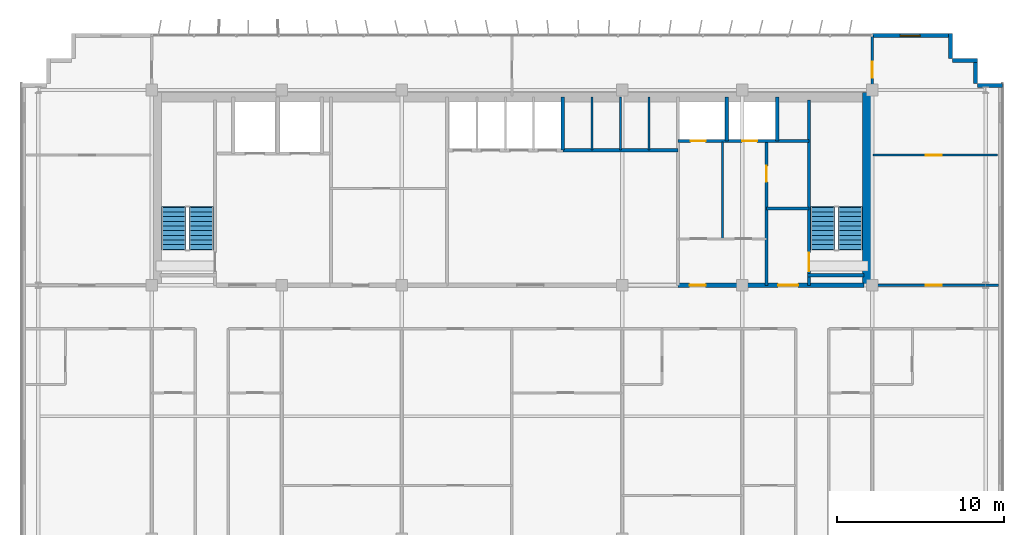
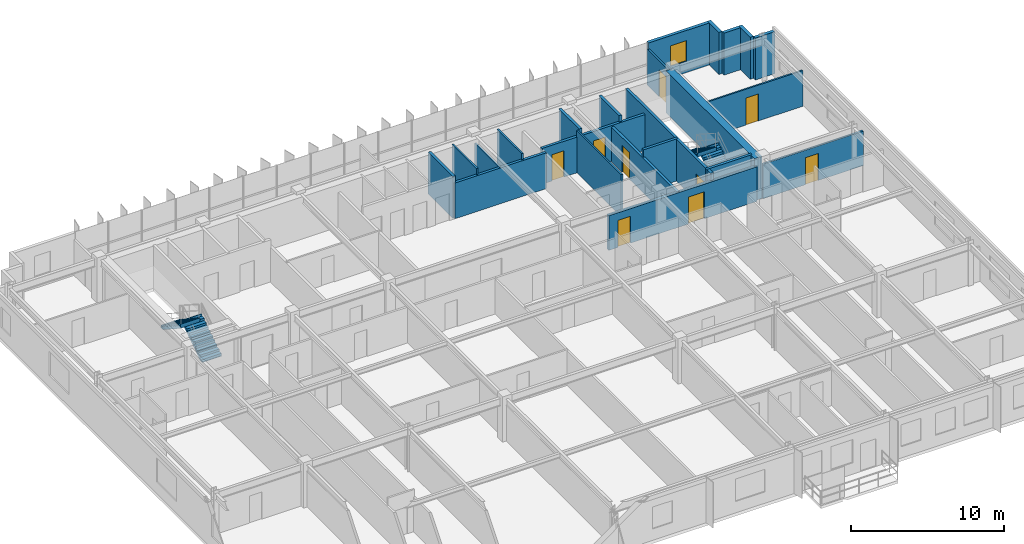
# One storey, part 18 of 20: 23 walls, 9 doors, 4 stair flights, 1 window, 10 openings, 2 elements without a shape of their own.
"""IFC4 building model written with IfcOpenShell, lengths in metres."""

from ifc_helpers import new_model, si_unit, direction, frame, frame_2d, origin, place, context, subcontext, project, spatial, polyline, rectangle, outline, extrude, source, transform, mapped, material, layer, layer_set, type_object, element, fill, aggregate, save


model = new_model("IFC4")

# Units and contexts
model_context = context("Model", 3, precision=1e-05, world=origin(), true_north=direction((0.0, 1.0)))
body_context = subcontext(model_context, "Body", "Model", "MODEL_VIEW")
ifc_project = project(units=[si_unit("LENGTHUNIT", "METRE"), si_unit("AREAUNIT", "SQUARE_METRE"), si_unit("VOLUMEUNIT", "CUBIC_METRE"), si_unit("PLANEANGLEUNIT", "RADIAN"), si_unit("MASSUNIT", "GRAM", prefix="KILO")], contexts=[model_context])

# Site, building, storey
site_placement = place(None, origin())
site = spatial("IfcSite", under=ifc_project, at=site_placement, CompositionType="ELEMENT")
building_placement = place(site_placement, origin())
building = spatial("IfcBuilding", under=site, at=building_placement, Name="Trelvane Seafront Commons", CompositionType="ELEMENT")
storey_placement = place(building_placement, frame((0.0, 0.0, 168.10009765625)))
storey = spatial("IfcBuildingStorey", under=building, at=storey_placement, Name="L44", CompositionType="ELEMENT", Elevation=168.10009765625)

# Wall, opening, window
ifc_material_1 = material(Name="Precast concrete C40/50", Category="concrete")
ifc_layer_1 = layer(ifc_material_1, 0.239990234375, Name="ARCH-WALL-EXT240")
ifc_layer_set_1 = layer_set([ifc_layer_1], Name="Precast concrete C40/50")
wall_type_1 = type_object("IfcWallType", Name="ARCH-WALL-EXT240", PredefinedType="SOLIDWALL", material=ifc_layer_set_1)
wall_1_placement = place(storey_placement, frame((58.800048828125, 48.3701171875, 0.0), z_axis=(0.0, 0.0, 1.0), x_axis=(1.0, 0.0, 0.0)))
wall_1 = element("IfcWall", 1, at=wall_1_placement, inside=storey, type_object=wall_type_1, Name="EW-L44-NE-0864", PredefinedType="SOLIDWALL", context=body_context, shape_type="SweptSolid", body=[
    extrude(rectangle(XDim=4.699951171875, YDim=0.239990234375, at=frame_2d((2.35009765625, 0.0))), origin(), (0.0, 0.0, 1.0), 3.349853515625),
])
opening_1_placement = place(wall_1_placement, frame((1.658935546875, 0.0, 0.89990234375)))
opening_1 = element("IfcOpeningElement", 2, at=opening_1_placement, cuts=wall_1, Name="Opening W05", PredefinedType="OPENING", context=body_context, shape_type="SweptSolid", body=[
    extrude(rectangle(XDim=1.199951171875, YDim=1.64990234375, at=frame_2d((0.60009765625, 0.824951171875))), frame((0.0, 0.1298828125, 0.0), z_axis=(0.0, -1.0, 0.0), x_axis=(1.0, 0.0, 0.0)), (0.0, 0.0, 1.0), 0.260009765625),
])
ifc_material_2 = material(Name="Low-E coastal double glazing", Category="glass")
window_type = type_object("IfcWindowType", Name="ARCH-WIN-W05", PartitioningType="SINGLE_PANEL", PredefinedType="WINDOW", material=ifc_material_2)
shared_shape_1 = source(origin(), body_context, "Body", "SweptSolid", [
    extrude(rectangle(XDim=1.199951171875, YDim=1.64990234375, at=frame_2d((0.60009765625, 0.824951171875))), frame((0.0, 0.030029296875, 0.0), z_axis=(0.0, -1.0, 0.0), x_axis=(1.0, 0.0, 0.0)), (0.0, 0.0, 1.0), 0.06005859375),
])
window_placement = place(opening_1_placement, origin())
window = element("IfcWindow", 3, at=window_placement, inside=storey, type_object=window_type, Name="WIN-L44-01039", OverallHeight=1.64990234375, OverallWidth=1.199951171875, PartitioningType="SINGLE_PANEL", PredefinedType="WINDOW", context=body_context, shape_type="MappedRepresentation", body=[
    mapped(shared_shape_1, transform((0.0, 0.0, 0.0), x_axis=(1.0, 0.0, 0.0), y_axis=(0.0, 1.0, 0.0), z_axis=(0.0, 0.0, 1.0), scale=1.0)),
])
fill(opening_1, window)

# Walls
for number, where, z_axis, x_axis, name in (
    (4, (63.47998046875, 48.5, 0.0), (0.0, 0.0, 1.0), (0.0, -1.0, 0.0), "EW-L44-00873"),
    (5, (63.60009765625, 46.8798828125, 0.0), (0.0, 0.0, 1.0), (1.0, 0.0, 0.0), "EW-L44-00874"),
    (6, (64.97998046875, 47.0, 0.0), (0.0, 0.0, 1.0), (0.0, -1.0, 0.0), "EW-L44-00875"),
    (7, (65.10009765625, 45.3798828125, 0.0), (0.0, 0.0, 1.0), (1.0, 0.0, 0.0), "EW-L44-00876"),
):
    element("IfcWall", number, at=place(storey_placement, frame(where, z_axis=z_axis, x_axis=x_axis)), inside=storey, type_object=wall_type_1, Name=name, PredefinedType="SOLIDWALL", context=body_context, shape_type="SweptSolid", body=[
        extrude(rectangle(XDim=1.5, YDim=0.239990234375, at=frame_2d((0.75, 0.0))), origin(), (0.0, 0.0, 1.0), 3.349853515625),
    ])

# Wall, opening, door
ifc_material_3 = material(Name="Concrete C40/50", Category="concrete")
ifc_layer_2 = layer(ifc_material_3, 0.199951171875, Name="ARCH-WALL-FIRE200")
ifc_layer_set_2 = layer_set([ifc_layer_2], Name="Concrete C40/50")
wall_type_2 = type_object("IfcWallType", Name="ARCH-WALL-FIRE200", PredefinedType="PARTITIONING", material=ifc_layer_set_2)
wall_2_placement = place(storey_placement, frame((52.449951171875, 33.39990234375, 0.0), z_axis=(0.0, 0.0, 1.0), x_axis=(0.0, 1.0, 0.0)))
wall_2 = element("IfcWall", 8, at=wall_2_placement, inside=storey, type_object=wall_type_2, Name="W-L44-ST2V-W-031", PredefinedType="PARTITIONING", context=body_context, shape_type="SweptSolid", body=[
    extrude(rectangle(XDim=8.650146484375, YDim=0.199951171875, at=frame_2d((4.3251953125, 0.0))), origin(), (0.0, 0.0, 1.0), 2.75),
])
opening_2_placement = place(wall_2_placement, frame((6.199951171875, 0.0, 0.0)))
opening_2 = element("IfcOpeningElement", 9, at=opening_2_placement, cuts=wall_2, Name="Opening FD-L44-15", PredefinedType="OPENING", context=body_context, shape_type="SweptSolid", body=[
    extrude(rectangle(XDim=0.949951171875, YDim=2.14990234375, at=frame_2d((0.47509765625, 1.074951171875))), frame((0.0, 0.10986328125, 0.0), z_axis=(0.0, -1.0, 0.0), x_axis=(1.0, 0.0, 0.0)), (0.0, 0.0, 1.0), 0.219970703125),
])
ifc_material_4 = material(Name="Powder-coated aluminium frame", Category="aluminium")
door_type_1 = type_object("IfcDoorType", Name="ARCH-DR-FD60-950", OperationType="NOTDEFINED", PredefinedType="DOOR", material=ifc_material_4)
shared_shape_2 = source(origin(), body_context, "Body", "SweptSolid", [
    extrude(rectangle(XDim=0.949951171875, YDim=2.14990234375, at=frame_2d((0.47509765625, 1.074951171875))), frame((0.0, 0.02490234375, 0.0), z_axis=(0.0, -1.0, 0.0), x_axis=(1.0, 0.0, 0.0)), (0.0, 0.0, 1.0), 0.050048828125),
])
door_1_placement = place(opening_2_placement, origin())
door_1 = element("IfcDoor", 10, at=door_1_placement, inside=storey, type_object=door_type_1, Name="L44 Cleaner Store Door", OperationType="SINGLE_SWING_LEFT", OverallHeight=2.14990234375, OverallWidth=0.949951171875, PredefinedType="DOOR", context=body_context, shape_type="MappedRepresentation", body=[
    mapped(shared_shape_2, transform((0.0, 0.0, 0.0), x_axis=(1.0, 0.0, 0.0), y_axis=(0.0, 1.0, 0.0), z_axis=(0.0, 0.0, 1.0), scale=1.0)),
])
fill(opening_2, door_1)

# Wall
wall_3_placement = place(storey_placement, frame((52.449951171875, 38.0, 0.0), z_axis=(0.0, 0.0, 1.0), x_axis=(1.0, 0.0, 0.0)))
element("IfcWall", 11, at=wall_3_placement, inside=storey, type_object=wall_type_2, Name="W-L44-ST2V-N-032", PredefinedType="PARTITIONING", context=body_context, shape_type="SweptSolid", body=[
    extrude(rectangle(XDim=2.550048828125, YDim=0.199951171875, at=frame_2d((1.27490234375, 0.0))), origin(), (0.0, 0.0, 1.0), 3.349853515625),
])

# Wall, openings, doors
ifc_layer_3 = layer(ifc_material_3, 0.25, Name="ARCH-WALL-FIRE250")
ifc_layer_set_3 = layer_set([ifc_layer_3], Name="Concrete C40/50")
wall_type_3 = type_object("IfcWallType", Name="ARCH-WALL-FIRE250", PredefinedType="PARTITIONING", material=ifc_layer_set_3)
wall_4_placement = place(storey_placement, frame((47.14990234375, 33.39990234375, 0.0), z_axis=(0.0, 0.0, 1.0), x_axis=(1.0, 0.0, 0.0)))
wall_4 = element("IfcWall", 12, at=wall_4_placement, inside=storey, type_object=wall_type_3, Name="W-L44-CS-EAST-035", PredefinedType="PARTITIONING", context=body_context, shape_type="SweptSolid", body=[
    extrude(rectangle(XDim=11.150146484375, YDim=0.25, at=frame_2d((5.5751953125, 0.0))), origin(), (0.0, 0.0, 1.0), 2.75),
])
opening_3_placement = place(wall_4_placement, frame((0.699951171875, 0.0, 0.0)))
opening_3 = element("IfcOpeningElement", 13, at=opening_3_placement, cuts=wall_4, Name="Opening FD-L44-18", PredefinedType="OPENING", context=body_context, shape_type="SweptSolid", body=[
    extrude(rectangle(XDim=0.949951171875, YDim=2.14990234375, at=frame_2d((0.47509765625, 1.074951171875))), frame((0.0, 0.135009765625, 0.0), z_axis=(0.0, -1.0, 0.0), x_axis=(1.0, 0.0, 0.0)), (0.0, 0.0, 1.0), 0.27001953125),
])
opening_4_placement = place(wall_4_placement, frame((6.0, 0.0, 0.0)))
opening_4 = element("IfcOpeningElement", 14, at=opening_4_placement, cuts=wall_4, Name="Opening FD-L44-19", PredefinedType="OPENING", context=body_context, shape_type="SweptSolid", body=[
    extrude(rectangle(XDim=1.199951171875, YDim=2.14990234375, at=frame_2d((0.60009765625, 1.074951171875))), frame((0.0, 0.135009765625, 0.0), z_axis=(0.0, -1.0, 0.0), x_axis=(1.0, 0.0, 0.0)), (0.0, 0.0, 1.0), 0.27001953125),
])
door_2_placement = place(opening_3_placement, origin())
door_2 = element("IfcDoor", 15, at=door_2_placement, inside=storey, type_object=door_type_1, Name="L44 Core Service Lobby Door", OperationType="SINGLE_SWING_RIGHT", OverallHeight=2.14990234375, OverallWidth=0.949951171875, PredefinedType="DOOR", context=body_context, shape_type="MappedRepresentation", body=[
    mapped(shared_shape_2, transform((0.0, 0.0, 0.0), x_axis=(1.0, 0.0, 0.0), y_axis=(0.0, 1.0, 0.0), z_axis=(0.0, 0.0, 1.0), scale=1.0)),
])
fill(opening_3, door_2)
door_type_2 = type_object("IfcDoorType", Name="ARCH-DR-FD60-1200", OperationType="NOTDEFINED", PredefinedType="DOOR", material=ifc_material_4)
shared_shape_3 = source(origin(), body_context, "Body", "SweptSolid", [
    extrude(rectangle(XDim=1.199951171875, YDim=2.14990234375, at=frame_2d((0.60009765625, 1.074951171875))), frame((0.0, 0.02490234375, 0.0), z_axis=(0.0, -1.0, 0.0), x_axis=(1.0, 0.0, 0.0)), (0.0, 0.0, 1.0), 0.050048828125),
])
door_3_placement = place(opening_4_placement, origin())
door_3 = element("IfcDoor", 16, at=door_3_placement, inside=storey, type_object=door_type_2, Name="L44 East Stair Vestibule Fire Door", OperationType="SINGLE_SWING_LEFT", OverallHeight=2.14990234375, OverallWidth=1.199951171875, PredefinedType="DOOR", context=body_context, shape_type="MappedRepresentation", body=[
    mapped(shared_shape_3, transform((0.0, 0.0, 0.0), x_axis=(1.0, 0.0, 0.0), y_axis=(0.0, 1.0, 0.0), z_axis=(0.0, 0.0, 1.0), scale=1.0)),
])
fill(opening_4, door_3)

# Walls
ifc_material_5 = material(Name="Gypsum Drywall Acoustic Partition")
ifc_layer_4 = layer(ifc_material_5, 0.1201171875, Name="ARCH-WALL-PART120")
ifc_layer_set_4 = layer_set([ifc_layer_4], Name="Gypsum Drywall Acoustic Partition")
wall_type_4 = type_object("IfcWallType", Name="ARCH-WALL-PART120", PredefinedType="PARTITIONING", material=ifc_layer_set_4)
wall_5_placement = place(storey_placement, frame((42.0, 41.5, 0.0), z_axis=(0.0, 0.0, 1.0), x_axis=(0.0, 1.0, 0.0)))
element("IfcWall", 17, at=wall_5_placement, inside=storey, type_object=wall_type_4, Name="W-L44-PH-DIV1-022", PredefinedType="PARTITIONING", context=body_context, shape_type="SweptSolid", body=[
    extrude(rectangle(XDim=3.199951171875, YDim=0.1201171875, at=frame_2d((1.60009765625, 0.0))), origin(), (0.0, 0.0, 1.0), 3.349853515625),
])
wall_6_placement = place(storey_placement, frame((43.699951171875, 41.5, 0.0), z_axis=(0.0, 0.0, 1.0), x_axis=(0.0, 1.0, 0.0)))
element("IfcWall", 18, at=wall_6_placement, inside=storey, type_object=wall_type_4, Name="W-L44-PH-DIV2-023", PredefinedType="PARTITIONING", context=body_context, shape_type="SweptSolid", body=[
    extrude(rectangle(XDim=3.199951171875, YDim=0.1201171875, at=frame_2d((1.60009765625, 0.0))), origin(), (0.0, 0.0, 1.0), 2.849853515625),
])
wall_7_placement = place(storey_placement, frame((45.39990234375, 41.5, 0.0), z_axis=(0.0, 0.0, 1.0), x_axis=(0.0, 1.0, 0.0)))
element("IfcWall", 19, at=wall_7_placement, inside=storey, type_object=wall_type_4, Name="W-L44-PH-DIV3-024", PredefinedType="PARTITIONING", context=body_context, shape_type="SweptSolid", body=[
    extrude(rectangle(XDim=3.199951171875, YDim=0.1201171875, at=frame_2d((1.60009765625, 0.0))), origin(), (0.0, 0.0, 1.0), 3.349853515625),
])
wall_8_placement = place(storey_placement, frame((49.820068359375, 36.179931640625, 0.0), z_axis=(0.0, 0.0, 1.0), x_axis=(0.0, 1.0, 0.0)))
element("IfcWall", 20, at=wall_8_placement, inside=storey, type_object=wall_type_4, Name="W-L44-CYC1-V-034", PredefinedType="PARTITIONING", context=body_context, shape_type="SweptSolid", body=[
    extrude(rectangle(XDim=5.820068359375, YDim=0.1201171875, at=frame_2d((2.91015625, 0.0))), origin(), (0.0, 0.0, 1.0), 3.349853515625),
])

# Wall, opening, door
wall_9_placement = place(storey_placement, frame((58.85009765625, 41.199951171875, 0.0), z_axis=(0.0, 0.0, 1.0), x_axis=(1.0, 0.0, 0.0)))
wall_9 = element("IfcWall", 21, at=wall_9_placement, inside=storey, type_object=wall_type_4, Name="W-L44-NE-LGDV-038", PredefinedType="PARTITIONING", context=body_context, shape_type="SweptSolid", body=[
    extrude(rectangle(XDim=7.449951171875, YDim=0.1201171875, at=frame_2d((3.72509765625, 0.0))), origin(), (0.0, 0.0, 1.0), 2.849853515625),
])
opening_5_placement = place(wall_9_placement, frame((3.156982421875, 0.0, 0.0)))
opening_5 = element("IfcOpeningElement", 22, at=opening_5_placement, cuts=wall_9, Name="Opening D-L44-22", PredefinedType="OPENING", context=body_context, shape_type="SweptSolid", body=[
    extrude(rectangle(XDim=0.949951171875, YDim=2.14990234375, at=frame_2d((0.47509765625, 1.074951171875))), frame((0.0, 0.070068359375, 0.0), z_axis=(0.0, -1.0, 0.0), x_axis=(1.0, 0.0, 0.0)), (0.0, 0.0, 1.0), 0.14013671875),
])
ifc_material_6 = material(Name="Acoustic timber door leaf", Category="wood")
door_type_3 = type_object("IfcDoorType", Name="ARCH-DR-INT950", OperationType="NOTDEFINED", PredefinedType="DOOR", material=ifc_material_6)
door_4_placement = place(opening_5_placement, origin())
door_4 = element("IfcDoor", 23, at=door_4_placement, inside=storey, type_object=door_type_3, Name="L44 Door 22", OperationType="SINGLE_SWING_RIGHT", OverallHeight=2.14990234375, OverallWidth=0.949951171875, PredefinedType="DOOR", context=body_context, shape_type="MappedRepresentation", body=[
    mapped(shared_shape_2, transform((0.0, 0.0, 0.0), x_axis=(1.0, 0.0, 0.0), y_axis=(0.0, 1.0, 0.0), z_axis=(0.0, 0.0, 1.0), scale=1.0)),
])
fill(opening_5, door_4)

ifc_layer_5 = layer(ifc_material_5, 0.14990234375, Name="ARCH-WALL-PART150")
ifc_layer_set_5 = layer_set([ifc_layer_5], Name="Gypsum Drywall Acoustic Partition")
wall_type_5 = type_object("IfcWallType", Name="ARCH-WALL-PART150", PredefinedType="PARTITIONING", material=ifc_layer_set_5)
wall_10_placement = place(storey_placement, frame((58.800048828125, 33.39990234375, 0.0), z_axis=(0.0, 0.0, 1.0), x_axis=(1.0, 0.0, 0.0)))
wall_10 = element("IfcWall", 24, at=wall_10_placement, inside=storey, type_object=wall_type_5, Name="W-L44-NE-ENT-039", PredefinedType="PARTITIONING", context=body_context, shape_type="SweptSolid", body=[
    extrude(rectangle(XDim=7.550048828125, YDim=0.14990234375, at=frame_2d((3.77490234375, 0.0))), origin(), (0.0, 0.0, 1.0), 2.75),
])
opening_6_placement = place(wall_10_placement, frame((3.199951171875, 0.0, 0.0)))
opening_6 = element("IfcOpeningElement", 25, at=opening_6_placement, cuts=wall_10, Name="Opening FD-L44-23", PredefinedType="OPENING", context=body_context, shape_type="SweptSolid", body=[
    extrude(rectangle(XDim=0.949951171875, YDim=2.14990234375, at=frame_2d((0.47509765625, 1.074951171875))), frame((0.0, 0.0849609375, 0.0), z_axis=(0.0, -1.0, 0.0), x_axis=(1.0, 0.0, 0.0)), (0.0, 0.0, 1.0), 0.169921875),
])
door_5_placement = place(opening_6_placement, origin())
door_5 = element("IfcDoor", 26, at=door_5_placement, inside=storey, type_object=door_type_1, Name="L44 NE Suite Entrance Door", OperationType="SINGLE_SWING_LEFT", OverallHeight=2.14990234375, OverallWidth=0.949951171875, PredefinedType="DOOR", context=body_context, shape_type="MappedRepresentation", body=[
    mapped(shared_shape_2, transform((0.0, 0.0, 0.0), x_axis=(1.0, 0.0, 0.0), y_axis=(0.0, 1.0, 0.0), z_axis=(0.0, 0.0, 1.0), scale=1.0)),
])
fill(opening_6, door_5)

wall_11_placement = place(storey_placement, frame((58.800048828125, 44.75, 0.0), z_axis=(0.0, 0.0, 1.0), x_axis=(0.0, 1.0, 0.0)))
wall_11 = element("IfcWall", 27, at=wall_11_placement, inside=storey, type_object=wall_type_5, Name="W-L44-N-LINK-E-042", PredefinedType="PARTITIONING", context=body_context, shape_type="SweptSolid", body=[
    extrude(rectangle(XDim=3.610107421875, YDim=0.14990234375, at=frame_2d((1.80517578125, 0.0))), origin(), (0.0, 0.0, 1.0), 2.849853515625),
])
opening_7_placement = place(wall_11_placement, frame((1.10009765625, 0.0, 0.0)))
opening_7 = element("IfcOpeningElement", 28, at=opening_7_placement, cuts=wall_11, Name="Opening FD-L44-26", PredefinedType="OPENING", context=body_context, shape_type="SweptSolid", body=[
    extrude(rectangle(XDim=0.949951171875, YDim=2.14990234375, at=frame_2d((0.47509765625, 1.074951171875))), frame((0.0, 0.0849609375, 0.0), z_axis=(0.0, -1.0, 0.0), x_axis=(1.0, 0.0, 0.0)), (0.0, 0.0, 1.0), 0.169921875),
])
door_6_placement = place(opening_7_placement, origin())
door_6 = element("IfcDoor", 29, at=door_6_placement, inside=storey, type_object=door_type_1, Name="L44 Door 26", OperationType="SINGLE_SWING_RIGHT", OverallHeight=2.14990234375, OverallWidth=0.949951171875, PredefinedType="DOOR", context=body_context, shape_type="MappedRepresentation", body=[
    mapped(shared_shape_2, transform((0.0, 0.0, 0.0), x_axis=(1.0, 0.0, 0.0), y_axis=(0.0, 1.0, 0.0), z_axis=(0.0, 0.0, 1.0), scale=1.0)),
])
fill(opening_7, door_6)

# Walls
ifc_layer_6 = layer(ifc_material_3, 0.199951171875, Name="ARCH-WALL-SHAFT200")
ifc_layer_set_6 = layer_set([ifc_layer_6], Name="Concrete C40/50")
wall_type_6 = type_object("IfcWallType", Name="ARCH-WALL-SHAFT200", PredefinedType="SOLIDWALL", material=ifc_layer_set_6)
wall_12_placement = place(storey_placement, frame((40.25, 41.5, 0.0), z_axis=(0.0, 0.0, 1.0), x_axis=(1.0, 0.0, 0.0)))
element("IfcWall", 30, at=wall_12_placement, inside=storey, type_object=wall_type_6, Name="W-L44-PH-FRONT-020", PredefinedType="SOLIDWALL", context=body_context, shape_type="SweptSolid", body=[
    extrude(rectangle(XDim=6.89990234375, YDim=0.199951171875, at=frame_2d((3.449951171875, 0.0))), origin(), (0.0, 0.0, 1.0), 2.849853515625),
])
wall_13_placement = place(storey_placement, frame((40.25, 41.5, 0.0), z_axis=(0.0, 0.0, 1.0), x_axis=(0.0, 1.0, 0.0)))
element("IfcWall", 31, at=wall_13_placement, inside=storey, type_object=wall_type_6, Name="W-L44-PH-WEST-SH-021", PredefinedType="SOLIDWALL", context=body_context, shape_type="SweptSolid", body=[
    extrude(rectangle(XDim=3.199951171875, YDim=0.199951171875, at=frame_2d((1.60009765625, 0.0))), origin(), (0.0, 0.0, 1.0), 3.349853515625),
])

# Wall, openings, doors
wall_14_placement = place(storey_placement, frame((47.14990234375, 42.050048828125, 0.0), z_axis=(0.0, 0.0, 1.0), x_axis=(1.0, 0.0, 0.0)))
wall_14 = element("IfcWall", 32, at=wall_14_placement, inside=storey, type_object=wall_type_6, Name="W-L44-RSR-S-028", PredefinedType="SOLIDWALL", context=body_context, shape_type="SweptSolid", body=[
    extrude(rectangle(XDim=7.85009765625, YDim=0.199951171875, at=frame_2d((3.925048828125, 0.0))), origin(), (0.0, 0.0, 1.0), 2.849853515625),
])
opening_8_placement = place(wall_14_placement, frame((0.75, 0.0, 0.0)))
opening_8 = element("IfcOpeningElement", 33, at=opening_8_placement, cuts=wall_14, Name="Opening FD-L44-13", PredefinedType="OPENING", context=body_context, shape_type="SweptSolid", body=[
    extrude(rectangle(XDim=0.89990234375, YDim=2.10009765625, at=frame_2d((0.449951171875, 1.050048828125))), frame((0.0, 0.10986328125, 0.0), z_axis=(0.0, -1.0, 0.0), x_axis=(1.0, 0.0, 0.0)), (0.0, 0.0, 1.0), 0.219970703125),
])
opening_9_placement = place(wall_14_placement, frame((3.85009765625, 0.0, 0.0)))
opening_9 = element("IfcOpeningElement", 34, at=opening_9_placement, cuts=wall_14, Name="Opening FD-L44-14", PredefinedType="OPENING", context=body_context, shape_type="SweptSolid", body=[
    extrude(rectangle(XDim=0.89990234375, YDim=2.10009765625, at=frame_2d((0.449951171875, 1.050048828125))), frame((0.0, 0.10986328125, 0.0), z_axis=(0.0, -1.0, 0.0), x_axis=(1.0, 0.0, 0.0)), (0.0, 0.0, 1.0), 0.219970703125),
])
door_type_4 = type_object("IfcDoorType", Name="ARCH-DR-FD60-900", OperationType="NOTDEFINED", PredefinedType="DOOR", material=ifc_material_4)
shared_shape_4 = source(origin(), body_context, "Body", "SweptSolid", [
    extrude(rectangle(XDim=0.89990234375, YDim=2.10009765625, at=frame_2d((0.449951171875, 1.050048828125))), frame((0.0, 0.02490234375, 0.0), z_axis=(0.0, -1.0, 0.0), x_axis=(1.0, 0.0, 0.0)), (0.0, 0.0, 1.0), 0.050048828125),
])
door_7_placement = place(opening_8_placement, origin())
door_7 = element("IfcDoor", 35, at=door_7_placement, inside=storey, type_object=door_type_4, Name="L44 Electrical Riser Access Door", OperationType="SINGLE_SWING_LEFT", OverallHeight=2.10009765625, OverallWidth=0.89990234375, PredefinedType="DOOR", context=body_context, shape_type="MappedRepresentation", body=[
    mapped(shared_shape_4, transform((0.0, 0.0, 0.0), x_axis=(1.0, 0.0, 0.0), y_axis=(0.0, 1.0, 0.0), z_axis=(0.0, 0.0, 1.0), scale=1.0)),
])
fill(opening_8, door_7)
door_8_placement = place(opening_9_placement, origin())
door_8 = element("IfcDoor", 36, at=door_8_placement, inside=storey, type_object=door_type_4, Name="L44 Mechanical Riser Access Door", OperationType="SINGLE_SWING_RIGHT", OverallHeight=2.10009765625, OverallWidth=0.89990234375, PredefinedType="DOOR", context=body_context, shape_type="MappedRepresentation", body=[
    mapped(shared_shape_4, transform((0.0, 0.0, 0.0), x_axis=(1.0, 0.0, 0.0), y_axis=(0.0, 1.0, 0.0), z_axis=(0.0, 0.0, 1.0), scale=1.0)),
])
fill(opening_9, door_8)

# Walls
for number, where, z_axis, x_axis, name in (
    (37, (50.080078125, 42.050048828125, 0.0), (0.0, 0.0, 1.0), (0.0, 1.0, 0.0), "W-L44-RSR-DIV-029"),
    (38, (53.10009765625, 42.050048828125, 0.0), (0.0, 0.0, 1.0), (0.0, 1.0, 0.0), "W-L44-RSR-E-030"),
):
    element("IfcWall", number, at=place(storey_placement, frame(where, z_axis=z_axis, x_axis=x_axis)), inside=storey, type_object=wall_type_6, Name=name, PredefinedType="SOLIDWALL", context=body_context, shape_type="SweptSolid", body=[
        extrude(rectangle(XDim=2.64990234375, YDim=0.199951171875, at=frame_2d((1.324951171875, 0.0))), origin(), (0.0, 0.0, 1.0), 3.349853515625),
    ])
ifc_material_7 = material(Name="Concrete C50/60", Category="concrete")
ifc_layer_7 = layer(ifc_material_7, 0.550048828125, Name="STR-WALL-CORE550")
ifc_layer_set_7 = layer_set([ifc_layer_7], Name="Concrete C50/60")
wall_type_7 = type_object("IfcWallType", Name="STR-WALL-CORE550", PredefinedType="SHEAR", material=ifc_layer_set_7)
wall_15_placement = place(storey_placement, frame((58.47509765625, 33.39990234375, 0.0), z_axis=(0.0, 0.0, 1.0), x_axis=(0.0, 1.0, 0.0)))
element("IfcWall", 39, at=wall_15_placement, inside=storey, type_object=wall_type_7, Name="W-L44-CE-END-003", PredefinedType="SHEAR", context=body_context, shape_type="SweptSolid", body=[
    extrude(rectangle(XDim=11.550048828125, YDim=0.550048828125, at=frame_2d((5.77490234375, 0.0))), origin(), (0.0, 0.0, 1.0), 3.349853515625),
])
ifc_layer_8 = layer(ifc_material_7, 0.199951171875, Name="STR-WALL-STAIR200")
ifc_layer_set_8 = layer_set([ifc_layer_8], Name="Concrete C50/60")
wall_type_8 = type_object("IfcWallType", Name="STR-WALL-STAIR200", PredefinedType="SHEAR", material=ifc_layer_set_8)
wall_16_placement = place(storey_placement, frame((54.89990234375, 34.0, 0.0), z_axis=(0.0, 0.0, 1.0), x_axis=(1.0, 0.0, 0.0)))
element("IfcWall", 40, at=wall_16_placement, inside=storey, type_object=wall_type_8, Name="W-L44-ST2-S-006", PredefinedType="SHEAR", context=body_context, shape_type="SweptSolid", body=[
    extrude(rectangle(XDim=3.400146484375, YDim=0.199951171875, at=frame_2d((1.7001953125, 0.0))), origin(), (0.0, 0.0, 1.0), 3.349853515625),
])

# Wall, opening, door
wall_17_placement = place(storey_placement, frame((55.0, 33.39990234375, 0.0), z_axis=(0.0, 0.0, 1.0), x_axis=(0.0, 1.0, 0.0)))
wall_17 = element("IfcWall", 41, at=wall_17_placement, inside=storey, type_object=wall_type_8, Name="W-L44-ST2-W-007", PredefinedType="SHEAR", context=body_context, shape_type="SweptSolid", body=[
    extrude(rectangle(XDim=11.10009765625, YDim=0.199951171875, at=frame_2d((5.550048828125, 0.0))), origin(), (0.0, 0.0, 1.0), 3.349853515625),
])
opening_10_placement = place(wall_17_placement, frame((0.85009765625, 0.0, 0.0)))
opening_10 = element("IfcOpeningElement", 42, at=opening_10_placement, cuts=wall_17, Name="Opening ST-D2-L44", PredefinedType="OPENING", context=body_context, shape_type="SweptSolid", body=[
    extrude(rectangle(XDim=1.10009765625, YDim=2.14990234375, at=frame_2d((0.550048828125, 1.074951171875))), frame((0.0, 0.10986328125, 0.0), z_axis=(0.0, -1.0, 0.0), x_axis=(1.0, 0.0, 0.0)), (0.0, 0.0, 1.0), 0.219970703125),
])
door_type_5 = type_object("IfcDoorType", Name="ARCH-DR-FD90-1100", OperationType="NOTDEFINED", PredefinedType="DOOR", material=ifc_material_4)
shared_shape_5 = source(origin(), body_context, "Body", "SweptSolid", [
    extrude(rectangle(XDim=1.10009765625, YDim=2.14990234375, at=frame_2d((0.550048828125, 1.074951171875))), frame((0.0, 0.02490234375, 0.0), z_axis=(0.0, -1.0, 0.0), x_axis=(1.0, 0.0, 0.0)), (0.0, 0.0, 1.0), 0.050048828125),
])
door_9_placement = place(opening_10_placement, origin())
door_9 = element("IfcDoor", 43, at=door_9_placement, inside=storey, type_object=door_type_5, Name="L44 Stair ST-2 Vestibule Fire Door", OperationType="SINGLE_SWING_RIGHT", OverallHeight=2.14990234375, OverallWidth=1.10009765625, PredefinedType="DOOR", context=body_context, shape_type="MappedRepresentation", body=[
    mapped(shared_shape_5, transform((0.0, 0.0, 0.0), x_axis=(1.0, 0.0, 0.0), y_axis=(0.0, 1.0, 0.0), z_axis=(0.0, 0.0, 1.0), scale=1.0)),
])
fill(opening_10, door_9)

# Stair, stair flights
stair_type_1 = type_object("IfcStairType", Name="ARCH-STR-ST-1-R20-180", PredefinedType="HALF_TURN_STAIR", material=ifc_material_3)
stair_1_placement = place(storey_placement, origin())
stair_1 = element("IfcStair", 44, at=stair_1_placement, inside=storey, type_object=stair_type_1, Name="L44 West Protected Firefighting Exit Stair ST-1", PredefinedType="HALF_TURN_STAIR")
stair_flight_type_1 = type_object("IfcStairFlightType", Name="ARCH-FLG-ST-1-R20-180", PredefinedType="STRAIGHT", material=ifc_material_3)
shared_shape_6 = source(origin(), body_context, "Body", "SweptSolid", [
    extrude(outline(polyline([(-0.050048828125, -0.02001953125), (-0.050048828125, 0.0), (0.0, 0.0), (0.0, 0.179931640625), (0.280029296875, 0.179931640625), (0.280029296875, 0.360107421875), (0.56005859375, 0.360107421875), (0.56005859375, 0.5400390625), (0.840087890625, 0.5400390625), (0.840087890625, 0.719970703125), (1.1201171875, 0.719970703125), (1.1201171875, 0.89990234375), (1.39990234375, 0.89990234375), (1.39990234375, 1.080078125), (1.679931640625, 1.080078125), (1.679931640625, 1.260009765625), (1.9599609375, 1.260009765625), (1.9599609375, 1.43994140625), (2.239990234375, 1.43994140625), (2.239990234375, 1.6201171875), (2.52001953125, 1.6201171875), (2.52001953125, 1.800048828125), (2.570068359375, 1.800048828125), (2.570068359375, 1.650146484375), (2.52001953125, 1.44189453125), (0.277099609375, -0.02001953125), (-0.050048828125, -0.02001953125)])), frame((0.0, 0.72509765625, 0.0), z_axis=(0.0, -1.0, 0.0), x_axis=(1.0, 0.0, 0.0)), (0.0, 0.0, 1.0), 1.449951171875),
])
stair_flight_1_placement = place(storey_placement, frame((18.574951171875, 35.550048828125, 0.0), z_axis=(0.0, 0.0, 1.0), x_axis=(0.0, 1.0, 0.0)))
stair_flight_1 = element("IfcStairFlight", 45, at=stair_flight_1_placement, type_object=stair_flight_type_1, Name="ST-1 flight 1", NumberOfRisers=10, NumberOfTreads=9, PredefinedType="STRAIGHT", RiserHeight=0.18, TreadLength=0.28, context=body_context, shape_type="MappedRepresentation", body=[
    mapped(shared_shape_6, transform((0.0, 0.0, 0.0), x_axis=(1.0, 0.0, 0.0), y_axis=(0.0, 1.0, 0.0), z_axis=(0.0, 0.0, 1.0), scale=1.0)),
])
stair_flight_2_placement = place(storey_placement, frame((16.925048828125, 38.070068359375, 1.7998046875), z_axis=(0.0, 0.0, 1.0), x_axis=(0.0, -1.0, 0.0)))
stair_flight_2 = element("IfcStairFlight", 46, at=stair_flight_2_placement, type_object=stair_flight_type_1, Name="ST-1 flight 2", NumberOfRisers=10, NumberOfTreads=9, PredefinedType="STRAIGHT", RiserHeight=0.18, TreadLength=0.28, context=body_context, shape_type="MappedRepresentation", body=[
    mapped(shared_shape_6, transform((0.0, 0.0, 0.0), x_axis=(1.0, 0.0, 0.0), y_axis=(0.0, 1.0, 0.0), z_axis=(0.0, 0.0, 1.0), scale=1.0)),
])
aggregate(stair_1, [stair_flight_1, stair_flight_2])

stair_type_2 = type_object("IfcStairType", Name="ARCH-STR-ST-2-R20-180", PredefinedType="HALF_TURN_STAIR", material=ifc_material_3)
stair_2_placement = place(storey_placement, origin())
stair_2 = element("IfcStair", 47, at=stair_2_placement, inside=storey, type_object=stair_type_2, Name="L44 East Protected Firefighting Exit Stair ST-2", PredefinedType="HALF_TURN_STAIR")
stair_flight_type_2 = type_object("IfcStairFlightType", Name="ARCH-FLG-ST-2-R20-180", PredefinedType="STRAIGHT", material=ifc_material_3)
stair_flight_3_placement = place(storey_placement, frame((57.47509765625, 35.550048828125, 0.0), z_axis=(0.0, 0.0, 1.0), x_axis=(0.0, 1.0, 0.0)))
stair_flight_3 = element("IfcStairFlight", 48, at=stair_flight_3_placement, type_object=stair_flight_type_2, Name="ST-2 flight 1", NumberOfRisers=10, NumberOfTreads=9, PredefinedType="STRAIGHT", RiserHeight=0.18, TreadLength=0.28, context=body_context, shape_type="MappedRepresentation", body=[
    mapped(shared_shape_6, transform((0.0, 0.0, 0.0), x_axis=(1.0, 0.0, 0.0), y_axis=(0.0, 1.0, 0.0), z_axis=(0.0, 0.0, 1.0), scale=1.0)),
])
stair_flight_4_placement = place(storey_placement, frame((55.824951171875, 38.070068359375, 1.7998046875), z_axis=(0.0, 0.0, 1.0), x_axis=(0.0, -1.0, 0.0)))
stair_flight_4 = element("IfcStairFlight", 49, at=stair_flight_4_placement, type_object=stair_flight_type_2, Name="ST-2 flight 2", NumberOfRisers=10, NumberOfTreads=9, PredefinedType="STRAIGHT", RiserHeight=0.18, TreadLength=0.28, context=body_context, shape_type="MappedRepresentation", body=[
    mapped(shared_shape_6, transform((0.0, 0.0, 0.0), x_axis=(1.0, 0.0, 0.0), y_axis=(0.0, 1.0, 0.0), z_axis=(0.0, 0.0, 1.0), scale=1.0)),
])
aggregate(stair_2, [stair_flight_3, stair_flight_4])

save(model, "model.ifc")
